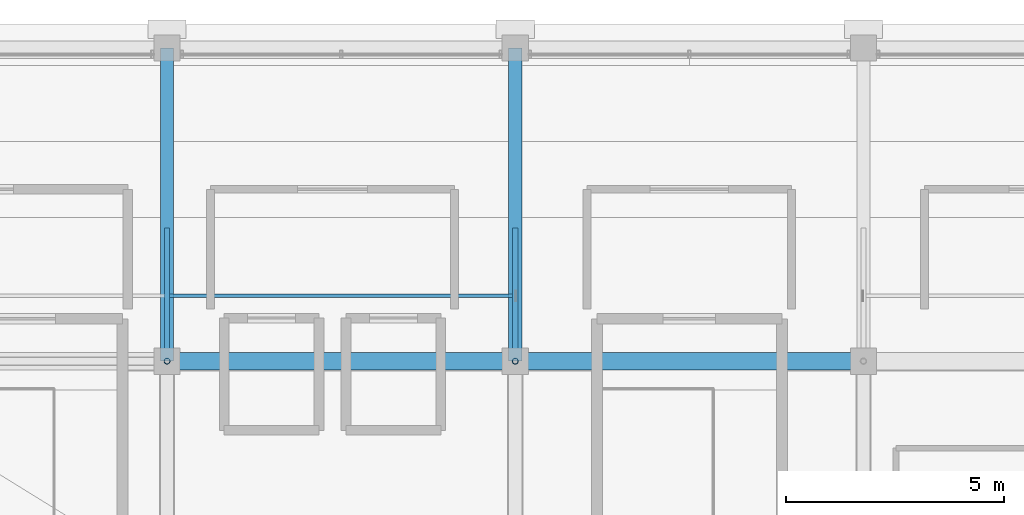
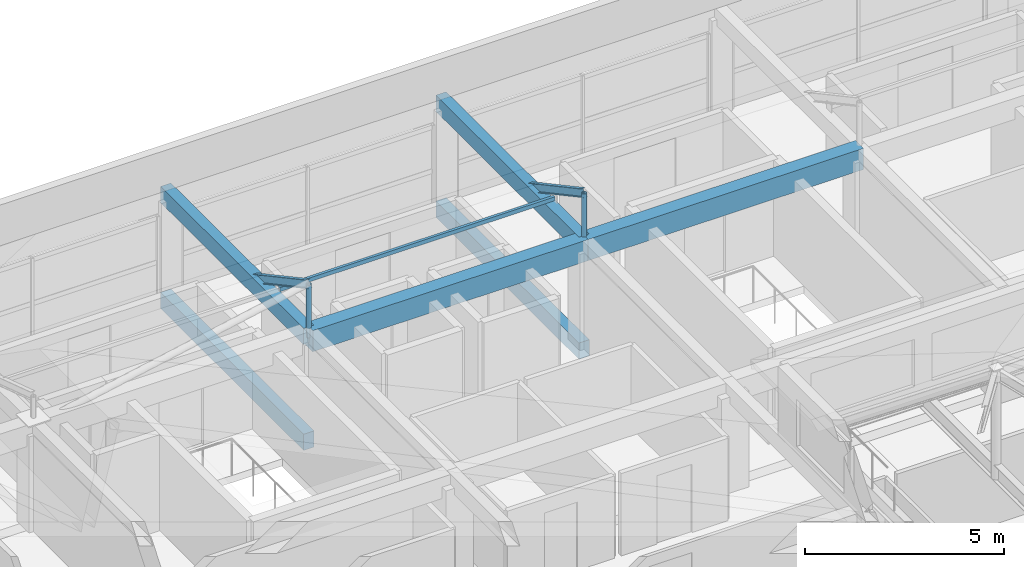
# One storey, part 11 of 39: 6 beams, 5 members.
"""IFC4 building model written with IfcOpenShell, lengths in metres."""

from ifc_helpers import new_model, si_unit, direction, frame, origin, origin_2d, place, context, subcontext, project, spatial, rectangle, hollow_rectangle, hollow_circle, i_section, extrude, material, material_profile, profile_set, type_object, element, save


model = new_model("IFC4")

# Units and contexts
model_context = context("Model", 3, precision=1e-05, world=origin(), true_north=direction((0.0, 1.0)))
body_context = subcontext(model_context, "Body", "Model", "MODEL_VIEW")
ifc_project = project(units=[si_unit("LENGTHUNIT", "METRE"), si_unit("AREAUNIT", "SQUARE_METRE"), si_unit("VOLUMEUNIT", "CUBIC_METRE"), si_unit("PLANEANGLEUNIT", "RADIAN"), si_unit("MASSUNIT", "GRAM", prefix="KILO")], contexts=[model_context])

# Site, building, storey
site_placement = place(None, origin())
site = spatial("IfcSite", under=ifc_project, at=site_placement, CompositionType="ELEMENT")
building_placement = place(site_placement, origin())
building = spatial("IfcBuilding", under=site, at=building_placement, Name="Akrevak Sports Hall", CompositionType="ELEMENT")
storey_placement = place(building_placement, frame((0.0, 0.0, 66.550048828125)))
storey = spatial("IfcBuildingStorey", under=building, at=storey_placement, Name="L17", CompositionType="ELEMENT", Elevation=66.550048828125)

# Beams
ifc_material_1 = material(Name="Concrete C40/50", Category="concrete")
ifc_material_profile_1 = material_profile(ifc_material_1, rectangle(XDim=0.300048828125, YDim=0.5, at=origin_2d()), Name="BM 300x500", Category="concrete")
ifc_profile_set_1 = profile_set([ifc_material_profile_1], Name="Concrete C40/50")
beam_type_1 = type_object("IfcBeamType", Name="STR-BM-RC300x500", PredefinedType="BEAM", material=ifc_profile_set_1)
for number, where, z_axis, x_axis, name in (
    (1, (68.0, 62.39990234375, -0.25), (0.0, 1.0, 0.0), (-1.0, 0.0, 0.0), "Girder 10/J-K (L17)"),
    (2, (76.0, 62.39990234375, -0.25), (0.0, 1.0, 0.0), (-1.0, 0.0, 0.0), "Girder 11/J-K (L17)"),
    (3, (68.0, 62.39990234375, 3.0), (0.0, 1.0, 0.0), (-1.0, 0.0, 0.0), "Girder 10/J-K (ROOF)"),
    (4, (76.0, 62.39990234375, 3.0), (0.0, 1.0, 0.0), (-1.0, 0.0, 0.0), "Girder 11/J-K (ROOF)"),
):
    element("IfcBeam", number, at=place(storey_placement, frame(where, z_axis=z_axis, x_axis=x_axis)), inside=storey, type_object=beam_type_1, Name=name, PredefinedType="BEAM", context=body_context, shape_type="SweptSolid", body=[
        extrude(rectangle(XDim=0.300048828125, YDim=0.5, at=origin_2d()), origin(), (0.0, 0.0, 1.0), 7.2001953125),
    ])
ifc_material_profile_2 = material_profile(ifc_material_1, rectangle(XDim=0.39990234375, YDim=0.64990234375, at=origin_2d()), Name="BM 400x650", Category="concrete")
ifc_profile_set_2 = profile_set([ifc_material_profile_2], Name="Concrete C40/50")
beam_type_2 = type_object("IfcBeamType", Name="STR-BM-RC400x650", PredefinedType="BEAM", material=ifc_profile_set_2)
for number, where, z_axis, x_axis, name in (
    (5, (68.0, 62.39990234375, 2.925048828125), (1.0, 0.0, 0.0), (0.0, 1.0, 0.0), "Girder J/10-11 (ROOF)"),
    (6, (76.0, 62.39990234375, 2.925048828125), (1.0, 0.0, 0.0), (0.0, 1.0, 0.0), "Girder J/11-12 (ROOF)"),
):
    element("IfcBeam", number, at=place(storey_placement, frame(where, z_axis=z_axis, x_axis=x_axis)), inside=storey, type_object=beam_type_2, Name=name, PredefinedType="BEAM", context=body_context, shape_type="SweptSolid", body=[
        extrude(rectangle(XDim=0.39990234375, YDim=0.64990234375, at=origin_2d()), origin(), (0.0, 0.0, 1.0), 8.0),
    ])

# Members
ifc_material_2 = material(Name="Steel S355", Category="steel")
ifc_material_profile_3 = material_profile(ifc_material_2, hollow_circle(Radius=0.06982421875, WallThickness=0.008056640625, at=origin_2d()), Name="CHS 139.7x8", Category="steel")
ifc_profile_set_3 = profile_set([ifc_material_profile_3], Name="Steel S355")
member_type_1 = type_object("IfcMemberType", Name="STR-MEM-BRACE-CHS139", PredefinedType="BRACE", material=ifc_profile_set_3)
for number, where, z_axis, x_axis, name in (
    (7, (68.0, 62.39990234375, 2.949951171875), (0.0, 0.0, 1.0), (1.0, 0.0, 0.0), "Mansard Knee Post MANS-W-N-68"),
    (8, (76.0, 62.39990234375, 2.949951171875), (0.0, 0.0, 1.0), (1.0, 0.0, 0.0), "Mansard Knee Post MANS-W-N-76"),
):
    element("IfcMember", number, at=place(storey_placement, frame(where, z_axis=z_axis, x_axis=x_axis)), inside=storey, type_object=member_type_1, Name=name, PredefinedType="BRACE", context=body_context, shape_type="SweptSolid", body=[
        extrude(hollow_circle(Radius=0.06982421875, WallThickness=0.008056640625, at=origin_2d()), origin(), (0.0, 0.0, 1.0), 1.6201171875),
    ])
ifc_material_profile_4 = material_profile(ifc_material_2, hollow_rectangle(XDim=0.080078125, YDim=0.1201171875, WallThickness=0.00634765625, at=origin_2d()), Name="RHS 120x80x6.3", Category="steel")
ifc_profile_set_4 = profile_set([ifc_material_profile_4], Name="Steel S355")
member_type_2 = type_object("IfcMemberType", Name="STR-MEM-PUR-RHS120", PredefinedType="PURLIN", material=ifc_profile_set_4)
member_placement = place(storey_placement, frame((68.0, 63.89990234375, 3.5), z_axis=(1.0, 0.0, 0.0), x_axis=(0.0, 1.0, 0.0)))
element("IfcMember", 9, at=member_placement, inside=storey, type_object=member_type_2, Name="Mansard Steel Purlin MANS-W-N-B", PredefinedType="PURLIN", context=body_context, shape_type="SweptSolid", body=[
    extrude(hollow_rectangle(XDim=0.080078125, YDim=0.1201171875, WallThickness=0.00634765625, at=origin_2d()), origin(), (0.0, 0.0, 1.0), 8.0),
])
ifc_material_profile_5 = material_profile(ifc_material_2, i_section(OverallWidth=0.1201171875, OverallDepth=0.239990234375, WebThickness=0.006103515625, FlangeThickness=0.009765625, FilletRadius=0.014892578125, at=origin_2d()), Name="IPE 240", Category="steel")
ifc_profile_set_5 = profile_set([ifc_material_profile_5], Name="Steel S355")
member_type_3 = type_object("IfcMemberType", Name="STR-MEM-RAF-IPE240", PredefinedType="RAFTER", material=ifc_profile_set_5)
for number, where, z_axis, x_axis, name in (
    (10, (68.0, 65.39990234375, 2.949951171875), (0.0, -0.879891027325, 0.475175525499), (1.0, 0.0, 0.0), "Mansard Steel Rafter MANS-W-N-68"),
    (11, (76.0, 65.39990234375, 2.949951171875), (0.0, -0.879891027325, 0.475175525499), (1.0, 0.0, 0.0), "Mansard Steel Rafter MANS-W-N-76"),
):
    element("IfcMember", number, at=place(storey_placement, frame(where, z_axis=z_axis, x_axis=x_axis)), inside=storey, type_object=member_type_3, Name=name, PredefinedType="RAFTER", context=body_context, shape_type="SweptSolid", body=[
        extrude(i_section(OverallWidth=0.1201171875, OverallDepth=0.239990234375, WebThickness=0.006103515625, FlangeThickness=0.009765625, FilletRadius=0.014892578125, at=origin_2d()), origin(), (0.0, 0.0, 1.0), 3.409423828125),
    ])

save(model, "model.ifc")
